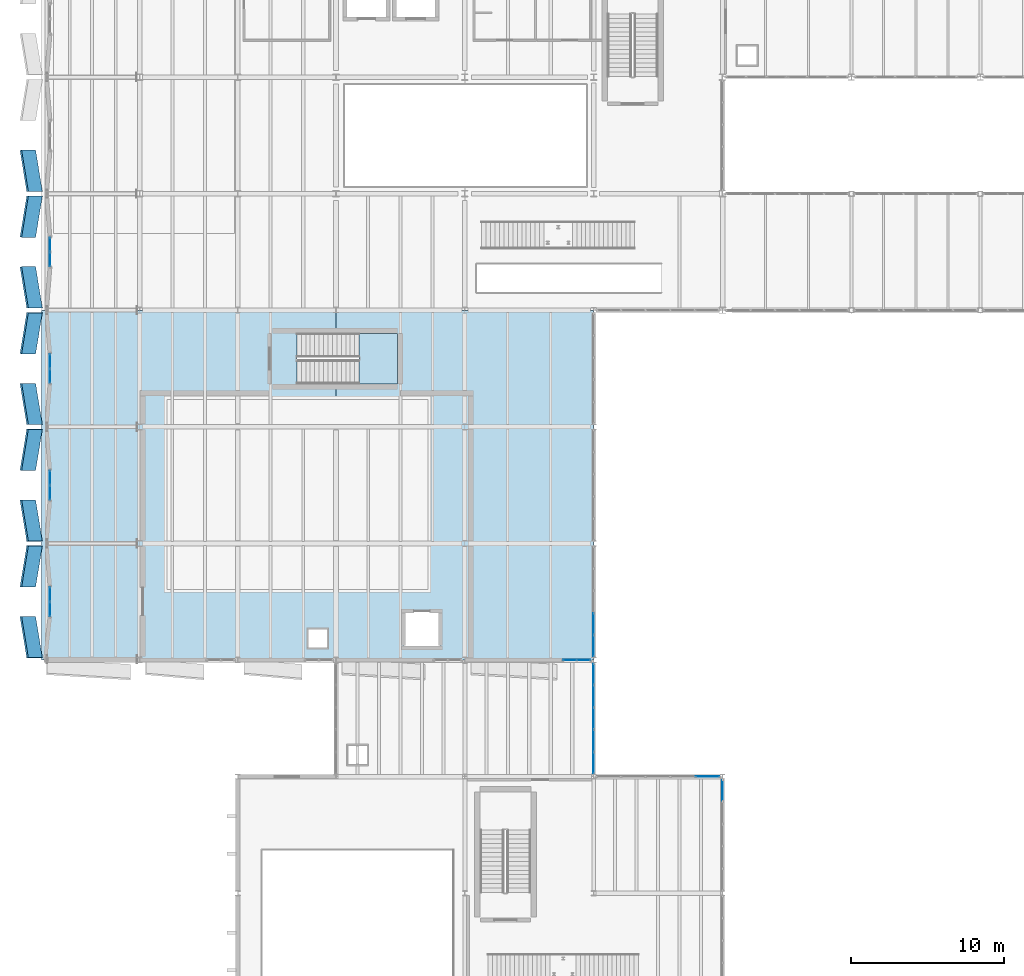
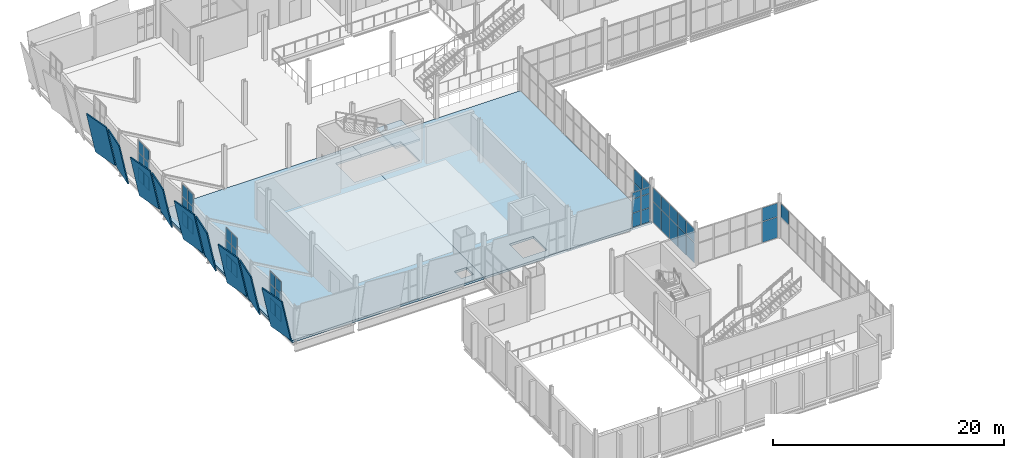
# One storey, part 128 of 172: 56 plates, 3 slabs, 10 elements without a shape of their own.
"""IFC4 building model written with IfcOpenShell, lengths in metres."""

import ifcopenshell
import ifcopenshell.guid

model = None  # the IFC model being written
_history = None  # IfcOwnerHistory: only IFC2X3 demands one
_inside = {}  # id of a spatial element -> (the spatial element, [elements in it])
_under = {}  # id of a project, library or spatial element -> (it, [spatial elements below it])
_declared = {}  # id of a project -> (the project, [libraries it declares])
_typed = {}  # id of a type object -> (the type object, [elements of that type])
_made_of = {}  # id of a material, layer set ... -> (it, [elements and type objects made of it])


def new_model(schema):
    """Start an empty IFC model of exactly this schema.

    Asked for "IFC4X3", IfcOpenShell would pick the latest addendum, in which some entities
    have other attributes; the version numbers below select the first issue.
    IFC2X3 requires an IfcOwnerHistory on every rooted entity: one is made here for all.
    """
    global model, _history
    if schema == "IFC4X3":
        model = ifcopenshell.file(schema_version=(4, 3, 0, 0))
    else:
        model = ifcopenshell.file(schema=schema)
    _inside.clear()
    _under.clear()
    _declared.clear()
    _typed.clear()
    _made_of.clear()
    _history = None
    if model.schema == "IFC2X3":
        org = make("IfcOrganization", Name="unknown")
        user = make(
            "IfcPersonAndOrganization",
            ThePerson=make("IfcPerson", FamilyName="unknown"),
            TheOrganization=org,
        )
        app = make(
            "IfcApplication",
            ApplicationDeveloper=org,
            Version="unknown",
            ApplicationFullName="unknown",
            ApplicationIdentifier="unknown",
        )
        _history = make(
            "IfcOwnerHistory",
            OwningUser=user,
            OwningApplication=app,
            ChangeAction="ADDED",
            CreationDate=0,
        )
    return model


def make(cls, **values):
    """One entity of the class cls with the attributes given. An attribute that is None is left unset."""
    return model.create_entity(
        cls, **{name: value for name, value in values.items() if value is not None}
    )


def rooted(cls, **values):
    """An entity with a GlobalId (a new one), such as an element, a storey or a relation."""
    return make(cls, GlobalId=ifcopenshell.guid.new(), OwnerHistory=_history, **values)


def si_unit(unit_type, name, prefix=None):
    """IfcSIUnit, for example si_unit("LENGTHUNIT", "METRE", prefix="MILLI")."""
    return make("IfcSIUnit", UnitType=unit_type, Prefix=prefix, Name=name)


def assignment(units):
    """IfcUnitAssignment: the units of a project."""
    return None if units is None else make("IfcUnitAssignment", Units=units)


def point(xyz):
    """IfcCartesianPoint."""
    return None if xyz is None else make("IfcCartesianPoint", Coordinates=xyz)


def direction(xyz):
    """IfcDirection."""
    return None if xyz is None else make("IfcDirection", DirectionRatios=xyz)


def frame(location, z_axis=None, x_axis=None):
    """IfcAxis2Placement3D, a coordinate frame: its origin and axes. An axis left out is left unset."""
    return make(
        "IfcAxis2Placement3D",
        Location=point(location),
        Axis=direction(z_axis),
        RefDirection=direction(x_axis),
    )


def frame_2d(location, x_axis=None):
    """IfcAxis2Placement2D, a coordinate frame in the plane: its origin and x axis."""
    return make(
        "IfcAxis2Placement2D", Location=point(location), RefDirection=direction(x_axis)
    )


def origin():
    """The frame at (0, 0, 0) with its axes left unset."""
    return frame((0.0, 0.0, 0.0))


def origin_2d():
    """The frame at (0, 0) in the plane with its x axis left unset."""
    return frame_2d((0.0, 0.0))


def place(relative_to, where):
    """IfcLocalPlacement: puts the frame where relative to a parent placement (None: the world)."""
    return make(
        "IfcLocalPlacement", PlacementRelTo=relative_to, RelativePlacement=where
    )


def context(
    kind, dimensions, precision=None, world=None, true_north=None, identifier=None
):
    """IfcGeometricRepresentationContext, for example the 3D "Model" context."""
    return make(
        "IfcGeometricRepresentationContext",
        ContextIdentifier=identifier,
        ContextType=kind,
        CoordinateSpaceDimension=dimensions,
        Precision=precision,
        WorldCoordinateSystem=world,
        TrueNorth=true_north,
    )


def subcontext(parent, identifier, kind, view, scale=None):
    """IfcGeometricRepresentationSubContext, for example "Body" below "Model"."""
    return make(
        "IfcGeometricRepresentationSubContext",
        ContextIdentifier=identifier,
        ContextType=kind,
        ParentContext=parent,
        TargetScale=scale,
        TargetView=view,
    )


def project(units=None, contexts=None):
    """IfcProject with its units and contexts."""
    return rooted(
        "IfcProject",
        Name="project",
        RepresentationContexts=contexts,
        UnitsInContext=assignment(units),
    )


def spatial(cls, under=None, at=None, **own):
    """A site, building, storey or space (cls), placed at a placement, below another one or the project."""
    s = rooted(cls, ObjectPlacement=at, **own)
    if under is not None:
        _under.setdefault(under.id(), (under, []))[1].append(s)
    return s


def polyline(points):
    """IfcPolyline through the points."""
    return make("IfcPolyline", Points=[point(p) for p in points])


def profile(cls, at=None, kind="AREA", **sizes):
    """A parametric profile (cls). Its sizes go by their IFC names, for example OverallWidth=200.0."""
    return make(cls, ProfileType=kind, Position=at, **sizes)


def rectangle(**sizes):
    """IfcRectangleProfileDef."""
    return profile("IfcRectangleProfileDef", **sizes)


def outline(outer, holes=None, kind="AREA"):
    """IfcArbitraryClosedProfileDef: a profile drawn as a closed curve; with holes, ...WithVoids."""
    if holes is None:
        return make("IfcArbitraryClosedProfileDef", ProfileType=kind, OuterCurve=outer)
    return make(
        "IfcArbitraryProfileDefWithVoids",
        ProfileType=kind,
        OuterCurve=outer,
        InnerCurves=holes,
    )


def extrude(swept, where, along, depth):
    """IfcExtrudedAreaSolid: the profile swept, set in the frame where, extruded along a direction by depth."""
    return make(
        "IfcExtrudedAreaSolid",
        SweptArea=swept,
        Position=where,
        ExtrudedDirection=direction(along),
        Depth=depth,
    )


def shape(context_of_items, identifier, shape_type, items):
    """IfcShapeRepresentation: the items that make up one representation, for example the "Body"."""
    return make(
        "IfcShapeRepresentation",
        ContextOfItems=context_of_items,
        RepresentationIdentifier=identifier,
        RepresentationType=shape_type,
        Items=items,
    )


def material(Name=None, Category=None):
    """IfcMaterial."""
    return make("IfcMaterial", Name=Name, Category=Category)


def layer(
    of_material, thickness, ventilated=None, Name=None, Category=None, Priority=None
):
    """IfcMaterialLayer: one layer of a wall or slab, of a material (None: an air gap)."""
    return make(
        "IfcMaterialLayer",
        Material=of_material,
        LayerThickness=thickness,
        IsVentilated=ventilated,
        Name=Name,
        Category=Category,
        Priority=Priority,
    )


def layer_set(layers, Name=None):
    """IfcMaterialLayerSet."""
    return make("IfcMaterialLayerSet", MaterialLayers=layers, LayerSetName=Name)


def made_of(thing, what):
    """Note that an element or type object is made of a material, layer set ...; save() writes the relation."""
    if what is not None:
        _made_of.setdefault(what.id(), (what, []))[1].append(thing)
    return thing


def type_object(cls, material=None, **own):
    """A type object (cls), such as IfcWallType, which elements share."""
    return made_of(rooted(cls, **own), material)


def element(
    cls,
    number,
    at=None,
    inside=None,
    cuts=None,
    type_object=None,
    material=None,
    context=None,
    identifier="Body",
    shape_type=None,
    held_by="IfcProductDefinitionShape",
    body=None,
    shapes=None,
    **own,
):
    """One element of the class cls, such as IfcWall. Its Tag is "e" and its number.

    at: its placement. inside: the storey or other place that contains it. cuts: it is an
    opening in that element (IfcRelVoidsElement). A single representation is given by context,
    identifier, shape_type and body (its items); several are given by shapes. held_by: the class
    of the entity that holds the representations. save() writes the other relations.
    """
    e = rooted(cls, Tag="e%d" % number, ObjectPlacement=at, **own)
    if body is not None:
        shapes = [shape(context, identifier, shape_type, body)]
    if shapes is not None:
        e.Representation = make(held_by, Representations=shapes)
    if inside is not None:
        _inside.setdefault(inside.id(), (inside, []))[1].append(e)
    if cuts is not None:
        rooted(
            "IfcRelVoidsElement", RelatingBuildingElement=cuts, RelatedOpeningElement=e
        )
    if type_object is not None:
        _typed.setdefault(type_object.id(), (type_object, []))[1].append(e)
    return made_of(e, material)


def aggregate(whole, parts):
    """IfcRelAggregates: a whole, such as a stair, and the parts it consists of."""
    return rooted("IfcRelAggregates", RelatingObject=whole, RelatedObjects=parts)


def save(model, path):
    """Write the relations noted so far, then the file.

    IfcRelAggregates (storeys below a building ...), IfcRelContainedInSpatialStructure (elements
    in a storey), IfcRelDefinesByType, IfcRelAssociatesMaterial and IfcRelDeclares: one each for
    every whole, place, type object, material and project.
    """
    for whole, parts in _under.values():
        aggregate(whole, parts)
    for where, things in _inside.values():
        rooted(
            "IfcRelContainedInSpatialStructure",
            RelatedElements=things,
            RelatingStructure=where,
        )
    for kind, things in _typed.values():
        rooted("IfcRelDefinesByType", RelatedObjects=things, RelatingType=kind)
    for what, things in _made_of.values():
        rooted("IfcRelAssociatesMaterial", RelatedObjects=things, RelatingMaterial=what)
    for by, libraries in _declared.values():
        rooted("IfcRelDeclares", RelatingContext=by, RelatedDefinitions=libraries)
    model.write(path)


model = new_model("IFC4")

# Units and contexts
model_context = context("Model", 3, precision=1e-05, world=origin(), true_north=direction((0.0, 1.0)))
body_context = subcontext(model_context, "Body", "Model", "MODEL_VIEW")
ifc_project = project(units=[si_unit("LENGTHUNIT", "METRE"), si_unit("AREAUNIT", "SQUARE_METRE"), si_unit("VOLUMEUNIT", "CUBIC_METRE"), si_unit("PLANEANGLEUNIT", "RADIAN"), si_unit("MASSUNIT", "GRAM", prefix="KILO")], contexts=[model_context])

# Site, building, storey
site_placement = place(None, origin())
site = spatial("IfcSite", under=ifc_project, at=site_placement, CompositionType="ELEMENT")
building_placement = place(site_placement, origin())
building = spatial("IfcBuilding", under=site, at=building_placement, Name="Shengluoqiao Park Theatre", CompositionType="ELEMENT")
storey_placement = place(building_placement, frame((0.0, 0.0, 5.39990234375)))
storey = spatial("IfcBuildingStorey", under=building, at=storey_placement, Name="L01", CompositionType="ELEMENT", Elevation=5.39990234375)

# Plates
ifc_material_1 = material(Name="Precast concrete C45", Category="concrete")
ifc_layer_1 = layer(ifc_material_1, 0.110107421875, Name="Precast concrete C45")
ifc_layer_set_1 = layer_set([ifc_layer_1], Name="Precast concrete C45")
plate_type_1 = type_object("IfcPlateType", Name="ENV-CRYS-CP-110", PredefinedType="USERDEFINED", material=ifc_layer_set_1)
plate_1_placement = place(storey_placement, frame((0.06005859375, 30.56005859375, 0.0), z_axis=(0.966456165331, 0.158698846498, 0.201933545044), x_axis=(-0.16203514803, 0.98678498708, -8.772079e-06)))
element("IfcPlate", 1, at=plate_1_placement, inside=storey, type_object=plate_type_1, Name="V3 L01 Tilted White Precast Crystal Panel 001", ObjectType="FACADE PANEL", PredefinedType="USERDEFINED", context=body_context, shape_type="SweptSolid", body=[
    extrude(outline(polyline([(0.0, 0.0), (2.715802280254951, 0.0), (2.8633995731964608, 4.45184397272655), (0.14755773357919813, 4.451795323707323), (0.0, 0.0)])), origin(), (0.0, 0.0, -1.0), 0.110107421875),
])
plate_2_placement = place(storey_placement, frame((-0.3798828125, 35.159912109375, 0.0), z_axis=(0.966458382446, -0.158684754451, 0.201934008293), x_axis=(0.162020775512, 0.986787347013, 8.771341e-06)))
element("IfcPlate", 2, at=plate_2_placement, inside=storey, type_object=plate_type_1, Name="V3 L01 Tilted White Precast Crystal Panel 002", ObjectType="FACADE PANEL", PredefinedType="USERDEFINED", context=body_context, shape_type="SweptSolid", body=[
    extrude(outline(polyline([(0.0, 0.0), (2.7160431965294602, -1.3877787807814457e-17), (2.568498551497439, 4.451795757516704), (-0.1475842008854174, 4.451844406763821), (0.0, 0.0)])), origin(), (0.0, 0.0, -1.0), 0.110107421875),
])
plate_3_placement = place(storey_placement, frame((0.06005859375, 38.159912109375, 0.0), z_axis=(0.966458382446, 0.158684754451, 0.201934008293), x_axis=(-0.162020775512, 0.986787347013, -8.771341e-06)))
element("IfcPlate", 3, at=plate_3_placement, inside=storey, type_object=plate_type_1, Name="V3 L01 Tilted White Precast Crystal Panel 003", ObjectType="FACADE PANEL", PredefinedType="USERDEFINED", context=body_context, shape_type="SweptSolid", body=[
    extrude(outline(polyline([(0.0, 0.0), (2.7160431965294602, 1.3877787807814457e-17), (2.8636273974148776, 4.451844406763821), (0.147544645032021, 4.451795757516704), (0.0, 0.0)])), origin(), (0.0, 0.0, -1.0), 0.110107421875),
])
plate_4_placement = place(storey_placement, frame((-0.3798828125, 42.760009765625, 0.0), z_axis=(0.966456165331, -0.158698846498, 0.201933545044), x_axis=(0.16203514803, 0.98678498708, 8.772079e-06)))
element("IfcPlate", 4, at=plate_4_placement, inside=storey, type_object=plate_type_1, Name="V3 L01 Tilted White Precast Crystal Panel 004", ObjectType="FACADE PANEL", PredefinedType="USERDEFINED", context=body_context, shape_type="SweptSolid", body=[
    extrude(outline(polyline([(0.0, 0.0), (2.715802280254951, 0.0), (2.5682445466757526, 4.451795323707323), (-0.14759729294151017, 4.45184397272655), (0.0, 0.0)])), origin(), (0.0, 0.0, -1.0), 0.110107421875),
])
plate_5_placement = place(storey_placement, frame((0.06005859375, 45.760009765625, 0.0), z_axis=(0.966456165331, 0.158698846498, 0.201933545044), x_axis=(-0.16203514803, 0.98678498708, -8.772079e-06)))
element("IfcPlate", 5, at=plate_5_placement, inside=storey, type_object=plate_type_1, Name="V3 L01 Tilted White Precast Crystal Panel 005", ObjectType="FACADE PANEL", PredefinedType="USERDEFINED", context=body_context, shape_type="SweptSolid", body=[
    extrude(outline(polyline([(0.0, 0.0), (2.715802280254951, 0.0), (2.8633995731964608, 4.45184397272655), (0.14755773357919813, 4.451795323707323), (0.0, 0.0)])), origin(), (0.0, 0.0, -1.0), 0.110107421875),
])
plate_6_placement = place(storey_placement, frame((-0.3798828125, 50.360107421875, 0.0), z_axis=(0.966456165331, -0.158698846498, 0.201933545044), x_axis=(0.16203514803, 0.98678498708, 8.772079e-06)))
element("IfcPlate", 6, at=plate_6_placement, inside=storey, type_object=plate_type_1, Name="V3 L01 Tilted White Precast Crystal Panel 006", ObjectType="FACADE PANEL", PredefinedType="USERDEFINED", context=body_context, shape_type="SweptSolid", body=[
    extrude(outline(polyline([(0.0, 0.0), (2.715802280254951, 0.0), (2.5682445466757526, 4.451795323707323), (-0.14759729294151017, 4.45184397272655), (0.0, 0.0)])), origin(), (0.0, 0.0, -1.0), 0.110107421875),
])
plate_7_placement = place(storey_placement, frame((0.06005859375, 53.360107421875, 0.0), z_axis=(0.966456165331, 0.158698846498, 0.201933545044), x_axis=(-0.16203514803, 0.98678498708, -8.772079e-06)))
element("IfcPlate", 7, at=plate_7_placement, inside=storey, type_object=plate_type_1, Name="V5 L01 Tilted White Precast Crystal Panel 007", ObjectType="FACADE PANEL", PredefinedType="USERDEFINED", context=body_context, shape_type="SweptSolid", body=[
    extrude(outline(polyline([(0.0, 0.0), (2.715802280254951, 0.0), (2.8633995731964608, 4.45184397272655), (0.14755773357919813, 4.451795323707323), (0.0, 0.0)])), origin(), (0.0, 0.0, -1.0), 0.110107421875),
])
plate_8_placement = place(storey_placement, frame((-0.3798828125, 57.9599609375, 0.0), z_axis=(0.966456165331, -0.158698846498, 0.201933545044), x_axis=(0.16203514803, 0.98678498708, 8.772079e-06)))
element("IfcPlate", 8, at=plate_8_placement, inside=storey, type_object=plate_type_1, Name="V5 L01 Tilted White Precast Crystal Panel 008", ObjectType="FACADE PANEL", PredefinedType="USERDEFINED", context=body_context, shape_type="SweptSolid", body=[
    extrude(outline(polyline([(0.0, 0.0), (2.715802280254951, 0.0), (2.5682445466757526, 4.451795323707323), (-0.14759729294151017, 4.45184397272655), (0.0, 0.0)])), origin(), (0.0, 0.0, -1.0), 0.110107421875),
])
plate_9_placement = place(storey_placement, frame((0.06005859375, 60.9599609375, 0.0), z_axis=(0.966456165331, 0.158698846498, 0.201933545044), x_axis=(-0.16203514803, 0.98678498708, -8.772079e-06)))
element("IfcPlate", 9, at=plate_9_placement, inside=storey, type_object=plate_type_1, Name="V5 L01 Tilted White Precast Crystal Panel 009", ObjectType="FACADE PANEL", PredefinedType="USERDEFINED", context=body_context, shape_type="SweptSolid", body=[
    extrude(outline(polyline([(0.0, 0.0), (2.715802280254951, 0.0), (2.8633995731964608, 4.45184397272655), (0.14755773357919813, 4.451795323707323), (0.0, 0.0)])), origin(), (0.0, 0.0, -1.0), 0.110107421875),
])

# Curtain wall, plates
ifc_material_2 = material(Name="Aluminium 6063-T6", Category="aluminium")
curtain_wall_type_1 = type_object("IfcCurtainWallType", Name="ENV-CW-STUDIO", PredefinedType="NOTDEFINED", material=ifc_material_2)
curtain_wall_1_placement = place(storey_placement, origin())
curtain_wall_1 = element("IfcCurtainWall", 10, at=curtain_wall_1_placement, inside=storey, type_object=curtain_wall_type_1, Name="L01 Curtain Wall CWX-L01-0019", PredefinedType="NOTDEFINED")
ifc_material_3 = material(Name="Insulated glass", Category="glass")
ifc_layer_2 = layer(ifc_material_3, 0.0380859375, Name="Insulated glass")
ifc_layer_set_2 = layer_set([ifc_layer_2], Name="Insulated glass")
plate_type_2 = type_object("IfcPlateType", Name="ENV-GLZ-GL-38", PredefinedType="CURTAIN_PANEL", material=ifc_layer_set_2)
plate_10_placement = place(storey_placement, frame((34.44482421875, 30.39990234375, 0.06005859375), z_axis=(0.0, 0.0, 1.0), x_axis=(1.0, 0.0, 0.0)))
plate_10 = element("IfcPlate", 11, at=plate_10_placement, type_object=plate_type_2, Name="CW-02 panel 1.1", PredefinedType="CURTAIN_PANEL", context=body_context, shape_type="SweptSolid", body=[
    extrude(rectangle(XDim=0.83740234375, YDim=0.0380859375, at=origin_2d()), origin(), (0.0, 0.0, 1.0), 1.4599609375),
])
plate_11_placement = place(storey_placement, frame((34.44482421875, 30.39990234375, 1.580078125), z_axis=(0.0, 0.0, 1.0), x_axis=(1.0, 0.0, 0.0)))
plate_11 = element("IfcPlate", 12, at=plate_11_placement, type_object=plate_type_2, Name="CW-02 panel 1.2", PredefinedType="CURTAIN_PANEL", context=body_context, shape_type="SweptSolid", body=[
    extrude(rectangle(XDim=0.83740234375, YDim=0.0380859375, at=origin_2d()), origin(), (0.0, 0.0, 1.0), 1.43994140625),
])
plate_12_placement = place(storey_placement, frame((34.44482421875, 30.39990234375, 3.080078125), z_axis=(0.0, 0.0, 1.0), x_axis=(1.0, 0.0, 0.0)))
plate_12 = element("IfcPlate", 13, at=plate_12_placement, type_object=plate_type_2, Name="CW-02 panel 1.3", PredefinedType="CURTAIN_PANEL", context=body_context, shape_type="SweptSolid", body=[
    extrude(rectangle(XDim=0.83740234375, YDim=0.0380859375, at=origin_2d()), origin(), (0.0, 0.0, 1.0), 0.610107421875),
])
plate_13_placement = place(storey_placement, frame((35.34228515625, 30.39990234375, 0.06005859375), z_axis=(0.0, 0.0, 1.0), x_axis=(1.0, 0.0, 0.0)))
plate_13 = element("IfcPlate", 14, at=plate_13_placement, type_object=plate_type_2, Name="CW-02 panel 2.1", PredefinedType="CURTAIN_PANEL", context=body_context, shape_type="SweptSolid", body=[
    extrude(rectangle(XDim=0.83740234375, YDim=0.0380859375, at=origin_2d()), origin(), (0.0, 0.0, 1.0), 1.4599609375),
])
plate_14_placement = place(storey_placement, frame((35.34228515625, 30.39990234375, 1.580078125), z_axis=(0.0, 0.0, 1.0), x_axis=(1.0, 0.0, 0.0)))
plate_14 = element("IfcPlate", 15, at=plate_14_placement, type_object=plate_type_2, Name="CW-02 panel 2.2", PredefinedType="CURTAIN_PANEL", context=body_context, shape_type="SweptSolid", body=[
    extrude(rectangle(XDim=0.83740234375, YDim=0.0380859375, at=origin_2d()), origin(), (0.0, 0.0, 1.0), 1.43994140625),
])
plate_15_placement = place(storey_placement, frame((35.34228515625, 30.39990234375, 3.080078125), z_axis=(0.0, 0.0, 1.0), x_axis=(1.0, 0.0, 0.0)))
plate_15 = element("IfcPlate", 16, at=plate_15_placement, type_object=plate_type_2, Name="CW-02 panel 2.3", PredefinedType="CURTAIN_PANEL", context=body_context, shape_type="SweptSolid", body=[
    extrude(rectangle(XDim=0.83740234375, YDim=0.0380859375, at=origin_2d()), origin(), (0.0, 0.0, 1.0), 0.610107421875),
])
aggregate(curtain_wall_1, [plate_10, plate_11, plate_12, plate_13, plate_14, plate_15])

curtain_wall_type_2 = type_object("IfcCurtainWallType", Name="ENV-CW-COURT", PredefinedType="NOTDEFINED", material=ifc_material_2)
curtain_wall_2_placement = place(storey_placement, origin())
curtain_wall_2 = element("IfcCurtainWall", 17, at=curtain_wall_2_placement, inside=storey, type_object=curtain_wall_type_2, Name="L01 Curtain Wall CWX-L01-0020", PredefinedType="NOTDEFINED")
plate_16_placement = place(storey_placement, frame((36.0, 31.318115234375, 0.06005859375), z_axis=(0.0, 0.0, 1.0), x_axis=(0.0, 1.0, 0.0)))
plate_16 = element("IfcPlate", 18, at=plate_16_placement, type_object=plate_type_2, Name="CW-05 panel 1.1", PredefinedType="CURTAIN_PANEL", context=body_context, shape_type="SweptSolid", body=[
    extrude(rectangle(XDim=1.3583984375, YDim=0.0380859375, at=origin_2d()), origin(), (0.0, 0.0, 1.0), 2.159912109375),
])
plate_17_placement = place(storey_placement, frame((36.0, 31.318115234375, 2.2802734375), z_axis=(0.0, 0.0, 1.0), x_axis=(0.0, 1.0, 0.0)))
plate_17 = element("IfcPlate", 19, at=plate_17_placement, type_object=plate_type_2, Name="CW-05 panel 1.2", PredefinedType="CURTAIN_PANEL", context=body_context, shape_type="SweptSolid", body=[
    extrude(rectangle(XDim=1.3583984375, YDim=0.0380859375, at=origin_2d()), origin(), (0.0, 0.0, 1.0), 1.409912109375),
])
plate_18_placement = place(storey_placement, frame((36.0, 32.751708984375, 0.06005859375), z_axis=(0.0, 0.0, 1.0), x_axis=(0.0, 1.0, 0.0)))
plate_18 = element("IfcPlate", 20, at=plate_18_placement, type_object=plate_type_2, Name="CW-05 panel 2.1", PredefinedType="CURTAIN_PANEL", context=body_context, shape_type="SweptSolid", body=[
    extrude(rectangle(XDim=1.388427734375, YDim=0.0380859375, at=origin_2d()), origin(), (0.0, 0.0, 1.0), 2.159912109375),
])
plate_19_placement = place(storey_placement, frame((36.0, 32.751708984375, 2.2802734375), z_axis=(0.0, 0.0, 1.0), x_axis=(0.0, 1.0, 0.0)))
plate_19 = element("IfcPlate", 21, at=plate_19_placement, type_object=plate_type_2, Name="CW-05 panel 2.2", PredefinedType="CURTAIN_PANEL", context=body_context, shape_type="SweptSolid", body=[
    extrude(rectangle(XDim=1.388427734375, YDim=0.0380859375, at=origin_2d()), origin(), (0.0, 0.0, 1.0), 1.409912109375),
])
aggregate(curtain_wall_2, [plate_16, plate_17, plate_18, plate_19])

# Curtain wall, plate
curtain_wall_3_placement = place(storey_placement, origin())
curtain_wall_3 = element("IfcCurtainWall", 22, at=curtain_wall_3_placement, inside=storey, type_object=curtain_wall_type_2, Name="L01 Curtain Wall CWX-L01-0157", PredefinedType="NOTDEFINED")
plate_20_placement = place(storey_placement, frame((44.39990234375, 21.90185546875, 2.283935546875), z_axis=(0.0, 0.0, 1.0), x_axis=(0.0, 1.0, 0.0)))
plate_20 = element("IfcPlate", 23, at=plate_20_placement, type_object=plate_type_2, Name="CW-05 panel 5.2", PredefinedType="CURTAIN_PANEL", context=body_context, shape_type="SweptSolid", body=[
    extrude(rectangle(XDim=1.368408203125, YDim=0.0380859375, at=origin_2d()), origin(), (0.0, 0.0, 1.0), 1.412109375),
])
aggregate(curtain_wall_3, [plate_20])

# Curtain wall, plates
curtain_wall_4_placement = place(storey_placement, origin())
curtain_wall_4 = element("IfcCurtainWall", 24, at=curtain_wall_4_placement, inside=storey, type_object=curtain_wall_type_2, Name="L01 Curtain Wall CWX-L01-0158", PredefinedType="NOTDEFINED")
plate_21_placement = place(storey_placement, frame((43.421875, 22.800048828125, 0.06005859375), z_axis=(0.0, 0.0, 1.0), x_axis=(1.0, 0.0, 0.0)))
plate_21 = element("IfcPlate", 25, at=plate_21_placement, type_object=plate_type_2, Name="CW-05 panel 5.1", PredefinedType="CURTAIN_PANEL", context=body_context, shape_type="SweptSolid", body=[
    extrude(rectangle(XDim=1.5283203125, YDim=0.0380859375, at=origin_2d()), origin(), (0.0, 0.0, 1.0), 2.1640625),
])
plate_22_placement = place(storey_placement, frame((43.421875, 22.800048828125, 2.283935546875), z_axis=(0.0, 0.0, 1.0), x_axis=(1.0, 0.0, 0.0)))
plate_22 = element("IfcPlate", 26, at=plate_22_placement, type_object=plate_type_2, Name="CW-05 panel 5.2", PredefinedType="CURTAIN_PANEL", context=body_context, shape_type="SweptSolid", body=[
    extrude(rectangle(XDim=1.5283203125, YDim=0.0380859375, at=origin_2d()), origin(), (0.0, 0.0, 1.0), 1.412109375),
])
aggregate(curtain_wall_4, [plate_21, plate_22])

curtain_wall_5_placement = place(storey_placement, origin())
curtain_wall_5 = element("IfcCurtainWall", 27, at=curtain_wall_5_placement, inside=storey, type_object=curtain_wall_type_2, Name="L01 Curtain Wall CWX-L01-0160", PredefinedType="NOTDEFINED")
plate_23_placement = place(storey_placement, frame((36.0, 23.69580078125, 0.06005859375), z_axis=(0.0, 0.0, 1.0), x_axis=(0.0, 1.0, 0.0)))
plate_23 = element("IfcPlate", 28, at=plate_23_placement, type_object=plate_type_2, Name="CW-05 panel 1.1", PredefinedType="CURTAIN_PANEL", context=body_context, shape_type="SweptSolid", body=[
    extrude(rectangle(XDim=1.36328125, YDim=0.0380859375, at=origin_2d()), origin(), (0.0, 0.0, 1.0), 2.159912109375),
])
plate_24_placement = place(storey_placement, frame((36.0, 23.69580078125, 2.2802734375), z_axis=(0.0, 0.0, 1.0), x_axis=(0.0, 1.0, 0.0)))
plate_24 = element("IfcPlate", 29, at=plate_24_placement, type_object=plate_type_2, Name="CW-05 panel 1.2", PredefinedType="CURTAIN_PANEL", context=body_context, shape_type="SweptSolid", body=[
    extrude(rectangle(XDim=1.36328125, YDim=0.0380859375, at=origin_2d()), origin(), (0.0, 0.0, 1.0), 1.409912109375),
])
plate_25_placement = place(storey_placement, frame((36.0, 25.134033203125, 0.06005859375), z_axis=(0.0, 0.0, 1.0), x_axis=(0.0, 1.0, 0.0)))
plate_25 = element("IfcPlate", 30, at=plate_25_placement, type_object=plate_type_2, Name="CW-05 panel 2.1", PredefinedType="CURTAIN_PANEL", context=body_context, shape_type="SweptSolid", body=[
    extrude(rectangle(XDim=1.393310546875, YDim=0.0380859375, at=origin_2d()), origin(), (0.0, 0.0, 1.0), 2.159912109375),
])
plate_26_placement = place(storey_placement, frame((36.0, 25.134033203125, 2.2802734375), z_axis=(0.0, 0.0, 1.0), x_axis=(0.0, 1.0, 0.0)))
plate_26 = element("IfcPlate", 31, at=plate_26_placement, type_object=plate_type_2, Name="CW-05 panel 2.2", PredefinedType="CURTAIN_PANEL", context=body_context, shape_type="SweptSolid", body=[
    extrude(rectangle(XDim=1.393310546875, YDim=0.0380859375, at=origin_2d()), origin(), (0.0, 0.0, 1.0), 1.409912109375),
])
plate_27_placement = place(storey_placement, frame((36.0, 26.58740234375, 0.06005859375), z_axis=(0.0, 0.0, 1.0), x_axis=(0.0, 1.0, 0.0)))
plate_27 = element("IfcPlate", 32, at=plate_27_placement, type_object=plate_type_2, Name="CW-05 panel 3.1", PredefinedType="CURTAIN_PANEL", context=body_context, shape_type="SweptSolid", body=[
    extrude(rectangle(XDim=1.393310546875, YDim=0.0380859375, at=origin_2d()), origin(), (0.0, 0.0, 1.0), 2.159912109375),
])
plate_28_placement = place(storey_placement, frame((36.0, 26.58740234375, 2.2802734375), z_axis=(0.0, 0.0, 1.0), x_axis=(0.0, 1.0, 0.0)))
plate_28 = element("IfcPlate", 33, at=plate_28_placement, type_object=plate_type_2, Name="CW-05 panel 3.2", PredefinedType="CURTAIN_PANEL", context=body_context, shape_type="SweptSolid", body=[
    extrude(rectangle(XDim=1.393310546875, YDim=0.0380859375, at=origin_2d()), origin(), (0.0, 0.0, 1.0), 1.409912109375),
])
plate_29_placement = place(storey_placement, frame((36.0, 28.041015625, 0.06005859375), z_axis=(0.0, 0.0, 1.0), x_axis=(0.0, 1.0, 0.0)))
plate_29 = element("IfcPlate", 34, at=plate_29_placement, type_object=plate_type_2, Name="CW-05 panel 4.1", PredefinedType="CURTAIN_PANEL", context=body_context, shape_type="SweptSolid", body=[
    extrude(rectangle(XDim=1.393310546875, YDim=0.0380859375, at=origin_2d()), origin(), (0.0, 0.0, 1.0), 2.159912109375),
])
plate_30_placement = place(storey_placement, frame((36.0, 28.041015625, 2.2802734375), z_axis=(0.0, 0.0, 1.0), x_axis=(0.0, 1.0, 0.0)))
plate_30 = element("IfcPlate", 35, at=plate_30_placement, type_object=plate_type_2, Name="CW-05 panel 4.2", PredefinedType="CURTAIN_PANEL", context=body_context, shape_type="SweptSolid", body=[
    extrude(rectangle(XDim=1.393310546875, YDim=0.0380859375, at=origin_2d()), origin(), (0.0, 0.0, 1.0), 1.409912109375),
])
plate_31_placement = place(storey_placement, frame((36.0, 29.479248046875, 0.06005859375), z_axis=(0.0, 0.0, 1.0), x_axis=(0.0, 1.0, 0.0)))
plate_31 = element("IfcPlate", 36, at=plate_31_placement, type_object=plate_type_2, Name="CW-05 panel 5.1", PredefinedType="CURTAIN_PANEL", context=body_context, shape_type="SweptSolid", body=[
    extrude(rectangle(XDim=1.36328125, YDim=0.0380859375, at=origin_2d()), origin(), (0.0, 0.0, 1.0), 2.159912109375),
])
plate_32_placement = place(storey_placement, frame((36.0, 29.479248046875, 2.2802734375), z_axis=(0.0, 0.0, 1.0), x_axis=(0.0, 1.0, 0.0)))
plate_32 = element("IfcPlate", 37, at=plate_32_placement, type_object=plate_type_2, Name="CW-05 panel 5.2", PredefinedType="CURTAIN_PANEL", context=body_context, shape_type="SweptSolid", body=[
    extrude(rectangle(XDim=1.36328125, YDim=0.0380859375, at=origin_2d()), origin(), (0.0, 0.0, 1.0), 1.409912109375),
])
aggregate(curtain_wall_5, [plate_23, plate_24, plate_25, plate_26, plate_27, plate_28, plate_29, plate_30, plate_31, plate_32])

curtain_wall_type_3 = type_object("IfcCurtainWallType", Name="ENV-CW-FOYER", PredefinedType="NOTDEFINED", material=ifc_material_2)
curtain_wall_6_placement = place(storey_placement, origin())
curtain_wall_6 = element("IfcCurtainWall", 38, at=curtain_wall_6_placement, inside=storey, type_object=curtain_wall_type_3, Name="L01 Curtain Wall CW-L01-SLIT-0235", PredefinedType="NOTDEFINED")
plate_33_placement = place(storey_placement, frame((0.56005859375, 56.516357421875, 0.06494140625), z_axis=(0.0, 0.0, 1.0), x_axis=(0.0, 1.0, 0.0)))
plate_33 = element("IfcPlate", 39, at=plate_33_placement, type_object=plate_type_2, Name="CW-01 panel 1.1", PredefinedType="CURTAIN_PANEL", context=body_context, shape_type="SweptSolid", body=[
    extrude(rectangle(XDim=0.902587890625, YDim=0.0380859375, at=origin_2d()), origin(), (0.0, 0.0, 1.0), 1.402587890625),
])
plate_34_placement = place(storey_placement, frame((0.56005859375, 56.516357421875, 1.532470703125), z_axis=(0.0, 0.0, 1.0), x_axis=(0.0, 1.0, 0.0)))
plate_34 = element("IfcPlate", 40, at=plate_34_placement, type_object=plate_type_2, Name="CW-01 panel 1.2", PredefinedType="CURTAIN_PANEL", context=body_context, shape_type="SweptSolid", body=[
    extrude(rectangle(XDim=0.902587890625, YDim=0.0380859375, at=origin_2d()), origin(), (0.0, 0.0, 1.0), 1.43505859375),
])
plate_35_placement = place(storey_placement, frame((0.56005859375, 56.516357421875, 3.03271484375), z_axis=(0.0, 0.0, 1.0), x_axis=(0.0, 1.0, 0.0)))
plate_35 = element("IfcPlate", 41, at=plate_35_placement, type_object=plate_type_2, Name="CW-01 panel 1.3", PredefinedType="CURTAIN_PANEL", context=body_context, shape_type="SweptSolid", body=[
    extrude(rectangle(XDim=0.902587890625, YDim=0.0380859375, at=origin_2d()), origin(), (0.0, 0.0, 1.0), 1.262451171875),
])
plate_36_placement = place(storey_placement, frame((0.56005859375, 57.483642578125, 0.06494140625), z_axis=(0.0, 0.0, 1.0), x_axis=(0.0, 1.0, 0.0)))
plate_36 = element("IfcPlate", 42, at=plate_36_placement, type_object=plate_type_2, Name="CW-01 panel 2.1", PredefinedType="CURTAIN_PANEL", context=body_context, shape_type="SweptSolid", body=[
    extrude(rectangle(XDim=0.902587890625, YDim=0.0380859375, at=origin_2d()), origin(), (0.0, 0.0, 1.0), 1.402587890625),
])
plate_37_placement = place(storey_placement, frame((0.56005859375, 57.483642578125, 1.532470703125), z_axis=(0.0, 0.0, 1.0), x_axis=(0.0, 1.0, 0.0)))
plate_37 = element("IfcPlate", 43, at=plate_37_placement, type_object=plate_type_2, Name="CW-01 panel 2.2", PredefinedType="CURTAIN_PANEL", context=body_context, shape_type="SweptSolid", body=[
    extrude(rectangle(XDim=0.902587890625, YDim=0.0380859375, at=origin_2d()), origin(), (0.0, 0.0, 1.0), 1.43505859375),
])
plate_38_placement = place(storey_placement, frame((0.56005859375, 57.483642578125, 3.03271484375), z_axis=(0.0, 0.0, 1.0), x_axis=(0.0, 1.0, 0.0)))
plate_38 = element("IfcPlate", 44, at=plate_38_placement, type_object=plate_type_2, Name="CW-01 panel 2.3", PredefinedType="CURTAIN_PANEL", context=body_context, shape_type="SweptSolid", body=[
    extrude(rectangle(XDim=0.902587890625, YDim=0.0380859375, at=origin_2d()), origin(), (0.0, 0.0, 1.0), 1.262451171875),
])
aggregate(curtain_wall_6, [plate_33, plate_34, plate_35, plate_36, plate_37, plate_38])

curtain_wall_7_placement = place(storey_placement, origin())
curtain_wall_7 = element("IfcCurtainWall", 45, at=curtain_wall_7_placement, inside=storey, type_object=curtain_wall_type_1, Name="L01 Curtain Wall CW-L01-SLIT-0232", PredefinedType="NOTDEFINED")
ifc_layer_3 = layer(ifc_material_3, 0.048095703125, Name="Insulated glass")
ifc_layer_set_3 = layer_set([ifc_layer_3], Name="Insulated glass")
plate_type_3 = type_object("IfcPlateType", Name="ENV-GLZ-GL-48", PredefinedType="CURTAIN_PANEL", material=ifc_layer_set_3)
plate_39_placement = place(storey_placement, frame((0.56005859375, 33.71630859375, 0.06494140625), z_axis=(0.0, 0.0, 1.0), x_axis=(0.0, 1.0, 0.0)))
plate_39 = element("IfcPlate", 46, at=plate_39_placement, type_object=plate_type_3, Name="CW-02 panel 1.1", PredefinedType="CURTAIN_PANEL", context=body_context, shape_type="SweptSolid", body=[
    extrude(rectangle(XDim=0.902587890625, YDim=0.048095703125, at=origin_2d()), origin(), (0.0, 0.0, 1.0), 1.402587890625),
])
plate_40_placement = place(storey_placement, frame((0.56005859375, 33.71630859375, 1.532470703125), z_axis=(0.0, 0.0, 1.0), x_axis=(0.0, 1.0, 0.0)))
plate_40 = element("IfcPlate", 47, at=plate_40_placement, type_object=plate_type_3, Name="CW-02 panel 1.2", PredefinedType="CURTAIN_PANEL", context=body_context, shape_type="SweptSolid", body=[
    extrude(rectangle(XDim=0.902587890625, YDim=0.048095703125, at=origin_2d()), origin(), (0.0, 0.0, 1.0), 1.43505859375),
])
plate_41_placement = place(storey_placement, frame((0.56005859375, 33.71630859375, 3.03271484375), z_axis=(0.0, 0.0, 1.0), x_axis=(0.0, 1.0, 0.0)))
plate_41 = element("IfcPlate", 48, at=plate_41_placement, type_object=plate_type_3, Name="CW-02 panel 1.3", PredefinedType="CURTAIN_PANEL", context=body_context, shape_type="SweptSolid", body=[
    extrude(rectangle(XDim=0.902587890625, YDim=0.048095703125, at=origin_2d()), origin(), (0.0, 0.0, 1.0), 1.262451171875),
])
plate_42_placement = place(storey_placement, frame((0.56005859375, 34.683837890625, 0.06494140625), z_axis=(0.0, 0.0, 1.0), x_axis=(0.0, 1.0, 0.0)))
plate_42 = element("IfcPlate", 49, at=plate_42_placement, type_object=plate_type_3, Name="CW-02 panel 2.1", PredefinedType="CURTAIN_PANEL", context=body_context, shape_type="SweptSolid", body=[
    extrude(rectangle(XDim=0.902587890625, YDim=0.048095703125, at=origin_2d()), origin(), (0.0, 0.0, 1.0), 1.402587890625),
])
plate_43_placement = place(storey_placement, frame((0.56005859375, 34.683837890625, 1.532470703125), z_axis=(0.0, 0.0, 1.0), x_axis=(0.0, 1.0, 0.0)))
plate_43 = element("IfcPlate", 50, at=plate_43_placement, type_object=plate_type_3, Name="CW-02 panel 2.2", PredefinedType="CURTAIN_PANEL", context=body_context, shape_type="SweptSolid", body=[
    extrude(rectangle(XDim=0.902587890625, YDim=0.048095703125, at=origin_2d()), origin(), (0.0, 0.0, 1.0), 1.43505859375),
])
plate_44_placement = place(storey_placement, frame((0.56005859375, 34.683837890625, 3.03271484375), z_axis=(0.0, 0.0, 1.0), x_axis=(0.0, 1.0, 0.0)))
plate_44 = element("IfcPlate", 51, at=plate_44_placement, type_object=plate_type_3, Name="CW-02 panel 2.3", PredefinedType="CURTAIN_PANEL", context=body_context, shape_type="SweptSolid", body=[
    extrude(rectangle(XDim=0.902587890625, YDim=0.048095703125, at=origin_2d()), origin(), (0.0, 0.0, 1.0), 1.262451171875),
])
aggregate(curtain_wall_7, [plate_39, plate_40, plate_41, plate_42, plate_43, plate_44])

curtain_wall_8_placement = place(storey_placement, origin())
curtain_wall_8 = element("IfcCurtainWall", 52, at=curtain_wall_8_placement, inside=storey, type_object=curtain_wall_type_1, Name="L01 Curtain Wall CW-L01-SLIT-0233", PredefinedType="NOTDEFINED")
plate_45_placement = place(storey_placement, frame((0.56005859375, 41.316162109375, 0.06494140625), z_axis=(0.0, 0.0, 1.0), x_axis=(0.0, 1.0, 0.0)))
plate_45 = element("IfcPlate", 53, at=plate_45_placement, type_object=plate_type_3, Name="CW-02 panel 1.1", PredefinedType="CURTAIN_PANEL", context=body_context, shape_type="SweptSolid", body=[
    extrude(rectangle(XDim=0.902587890625, YDim=0.048095703125, at=origin_2d()), origin(), (0.0, 0.0, 1.0), 1.402587890625),
])
plate_46_placement = place(storey_placement, frame((0.56005859375, 41.316162109375, 1.532470703125), z_axis=(0.0, 0.0, 1.0), x_axis=(0.0, 1.0, 0.0)))
plate_46 = element("IfcPlate", 54, at=plate_46_placement, type_object=plate_type_3, Name="CW-02 panel 1.2", PredefinedType="CURTAIN_PANEL", context=body_context, shape_type="SweptSolid", body=[
    extrude(rectangle(XDim=0.902587890625, YDim=0.048095703125, at=origin_2d()), origin(), (0.0, 0.0, 1.0), 1.43505859375),
])
plate_47_placement = place(storey_placement, frame((0.56005859375, 41.316162109375, 3.03271484375), z_axis=(0.0, 0.0, 1.0), x_axis=(0.0, 1.0, 0.0)))
plate_47 = element("IfcPlate", 55, at=plate_47_placement, type_object=plate_type_3, Name="CW-02 panel 1.3", PredefinedType="CURTAIN_PANEL", context=body_context, shape_type="SweptSolid", body=[
    extrude(rectangle(XDim=0.902587890625, YDim=0.048095703125, at=origin_2d()), origin(), (0.0, 0.0, 1.0), 1.262451171875),
])
plate_48_placement = place(storey_placement, frame((0.56005859375, 42.28369140625, 0.06494140625), z_axis=(0.0, 0.0, 1.0), x_axis=(0.0, 1.0, 0.0)))
plate_48 = element("IfcPlate", 56, at=plate_48_placement, type_object=plate_type_3, Name="CW-02 panel 2.1", PredefinedType="CURTAIN_PANEL", context=body_context, shape_type="SweptSolid", body=[
    extrude(rectangle(XDim=0.902587890625, YDim=0.048095703125, at=origin_2d()), origin(), (0.0, 0.0, 1.0), 1.402587890625),
])
plate_49_placement = place(storey_placement, frame((0.56005859375, 42.28369140625, 1.532470703125), z_axis=(0.0, 0.0, 1.0), x_axis=(0.0, 1.0, 0.0)))
plate_49 = element("IfcPlate", 57, at=plate_49_placement, type_object=plate_type_3, Name="CW-02 panel 2.2", PredefinedType="CURTAIN_PANEL", context=body_context, shape_type="SweptSolid", body=[
    extrude(rectangle(XDim=0.902587890625, YDim=0.048095703125, at=origin_2d()), origin(), (0.0, 0.0, 1.0), 1.43505859375),
])
plate_50_placement = place(storey_placement, frame((0.56005859375, 42.28369140625, 3.03271484375), z_axis=(0.0, 0.0, 1.0), x_axis=(0.0, 1.0, 0.0)))
plate_50 = element("IfcPlate", 58, at=plate_50_placement, type_object=plate_type_3, Name="CW-02 panel 2.3", PredefinedType="CURTAIN_PANEL", context=body_context, shape_type="SweptSolid", body=[
    extrude(rectangle(XDim=0.902587890625, YDim=0.048095703125, at=origin_2d()), origin(), (0.0, 0.0, 1.0), 1.262451171875),
])
aggregate(curtain_wall_8, [plate_45, plate_46, plate_47, plate_48, plate_49, plate_50])

curtain_wall_9_placement = place(storey_placement, origin())
curtain_wall_9 = element("IfcCurtainWall", 59, at=curtain_wall_9_placement, inside=storey, type_object=curtain_wall_type_1, Name="L01 Curtain Wall CW-L01-SLIT-0234", PredefinedType="NOTDEFINED")
plate_51_placement = place(storey_placement, frame((0.56005859375, 48.916259765625, 0.06494140625), z_axis=(0.0, 0.0, 1.0), x_axis=(0.0, 1.0, 0.0)))
plate_51 = element("IfcPlate", 60, at=plate_51_placement, type_object=plate_type_3, Name="CW-02 panel 1.1", PredefinedType="CURTAIN_PANEL", context=body_context, shape_type="SweptSolid", body=[
    extrude(rectangle(XDim=0.902587890625, YDim=0.048095703125, at=origin_2d()), origin(), (0.0, 0.0, 1.0), 1.402587890625),
])
plate_52_placement = place(storey_placement, frame((0.56005859375, 48.916259765625, 1.532470703125), z_axis=(0.0, 0.0, 1.0), x_axis=(0.0, 1.0, 0.0)))
plate_52 = element("IfcPlate", 61, at=plate_52_placement, type_object=plate_type_3, Name="CW-02 panel 1.2", PredefinedType="CURTAIN_PANEL", context=body_context, shape_type="SweptSolid", body=[
    extrude(rectangle(XDim=0.902587890625, YDim=0.048095703125, at=origin_2d()), origin(), (0.0, 0.0, 1.0), 1.43505859375),
])
plate_53_placement = place(storey_placement, frame((0.56005859375, 48.916259765625, 3.03271484375), z_axis=(0.0, 0.0, 1.0), x_axis=(0.0, 1.0, 0.0)))
plate_53 = element("IfcPlate", 62, at=plate_53_placement, type_object=plate_type_3, Name="CW-02 panel 1.3", PredefinedType="CURTAIN_PANEL", context=body_context, shape_type="SweptSolid", body=[
    extrude(rectangle(XDim=0.902587890625, YDim=0.048095703125, at=origin_2d()), origin(), (0.0, 0.0, 1.0), 1.262451171875),
])
plate_54_placement = place(storey_placement, frame((0.56005859375, 49.8837890625, 0.06494140625), z_axis=(0.0, 0.0, 1.0), x_axis=(0.0, 1.0, 0.0)))
plate_54 = element("IfcPlate", 63, at=plate_54_placement, type_object=plate_type_3, Name="CW-02 panel 2.1", PredefinedType="CURTAIN_PANEL", context=body_context, shape_type="SweptSolid", body=[
    extrude(rectangle(XDim=0.902587890625, YDim=0.048095703125, at=origin_2d()), origin(), (0.0, 0.0, 1.0), 1.402587890625),
])
plate_55_placement = place(storey_placement, frame((0.56005859375, 49.8837890625, 1.532470703125), z_axis=(0.0, 0.0, 1.0), x_axis=(0.0, 1.0, 0.0)))
plate_55 = element("IfcPlate", 64, at=plate_55_placement, type_object=plate_type_3, Name="CW-02 panel 2.2", PredefinedType="CURTAIN_PANEL", context=body_context, shape_type="SweptSolid", body=[
    extrude(rectangle(XDim=0.902587890625, YDim=0.048095703125, at=origin_2d()), origin(), (0.0, 0.0, 1.0), 1.43505859375),
])
plate_56_placement = place(storey_placement, frame((0.56005859375, 49.8837890625, 3.03271484375), z_axis=(0.0, 0.0, 1.0), x_axis=(0.0, 1.0, 0.0)))
plate_56 = element("IfcPlate", 65, at=plate_56_placement, type_object=plate_type_3, Name="CW-02 panel 2.3", PredefinedType="CURTAIN_PANEL", context=body_context, shape_type="SweptSolid", body=[
    extrude(rectangle(XDim=0.902587890625, YDim=0.048095703125, at=origin_2d()), origin(), (0.0, 0.0, 1.0), 1.262451171875),
])
aggregate(curtain_wall_9, [plate_51, plate_52, plate_53, plate_54, plate_55, plate_56])

# Stair, slab
ifc_material_4 = material(Name="Concrete C40", Category="concrete")
stair_type = type_object("IfcStairType", Name="INT-STR-CORE", PredefinedType="HALF_TURN_STAIR", material=ifc_material_4)
stair_placement = place(storey_placement, origin())
stair = element("IfcStair", 66, at=stair_placement, inside=storey, type_object=stair_type, Name="L01 Studio Crystal North Escape Stair 13", PredefinedType="HALF_TURN_STAIR")
ifc_layer_4 = layer(ifc_material_4, 0.169921875, Name="Concrete C40")
ifc_layer_set_4 = layer_set([ifc_layer_4], Name="Concrete C40")
slab_type_1 = type_object("IfcSlabType", Name="INT-LND-SL-170", PredefinedType="LANDING", material=ifc_layer_set_4)
slab_1_placement = place(storey_placement, frame((0.0, 0.0, 2.10009765625)))
slab_1 = element("IfcSlab", 67, at=slab_1_placement, type_object=slab_type_1, Name="ST-13 landing 1", PredefinedType="LANDING", context=body_context, shape_type="SweptSolid", body=[
    extrude(outline(polyline([(20.7099609375, 48.39990234375), (23.199951171875, 48.39990234375), (23.199951171875, 51.699951171875), (20.7099609375, 51.699951171875), (20.7099609375, 48.39990234375)])), origin(), (0.0, 0.0, 1.0), 0.199951171875),
])
aggregate(stair, [slab_1])

# Slabs
ifc_material_5 = material(Name="Concrete C35", Category="concrete")
ifc_layer_5 = layer(ifc_material_5, 0.239990234375, Name="Concrete C35")
ifc_layer_set_5 = layer_set([ifc_layer_5], Name="Concrete C35")
slab_type_2 = type_object("IfcSlabType", Name="STR-SLB-FL240", PredefinedType="FLOOR", material=ifc_layer_set_5)
slab_2_placement = place(storey_placement, frame((0.0, 0.0, -0.239990234375)))
element("IfcSlab", 68, at=slab_2_placement, inside=storey, type_object=slab_type_2, Name="Floor Slab L01-V3-CW", PredefinedType="FLOOR", context=body_context, shape_type="SweptSolid", body=[
    extrude(outline(polyline([(19.199951171875, 30.39990234375), (0.0, 30.39990234375), (0.0, 53.199951171875), (19.199951171875, 53.199951171875), (19.199951171875, 51.699951171875), (16.654052734375, 51.699951171875), (16.654052734375, 48.39990234375), (19.199951171875, 48.39990234375), (19.199951171875, 30.39990234375)]), holes=[polyline([(18.6201171875, 31.199951171875), (18.6201171875, 32.419921875), (17.39990234375, 32.419921875), (17.39990234375, 31.199951171875), (18.6201171875, 31.199951171875)])]), origin(), (0.0, 0.0, 1.0), 0.239990234375),
])
slab_3_placement = place(storey_placement, frame((0.0, 0.0, -0.239990234375)))
element("IfcSlab", 69, at=slab_3_placement, inside=storey, type_object=slab_type_2, Name="Floor Slab L01-V3-CE", PredefinedType="FLOOR", context=body_context, shape_type="SweptSolid", body=[
    extrude(outline(polyline([(19.199951171875, 53.199951171875), (36.0, 53.199951171875), (36.0, 30.39990234375), (19.199951171875, 30.39990234375), (19.199951171875, 48.39990234375), (23.199951171875, 48.39990234375), (23.199951171875, 51.699951171875), (19.199951171875, 51.699951171875), (19.199951171875, 53.199951171875)]), holes=[polyline([(26.0, 31.199951171875), (26.0, 33.60009765625), (23.60009765625, 33.60009765625), (23.60009765625, 31.199951171875), (26.0, 31.199951171875)])]), origin(), (0.0, 0.0, 1.0), 0.239990234375),
])

save(model, "model.ifc")
